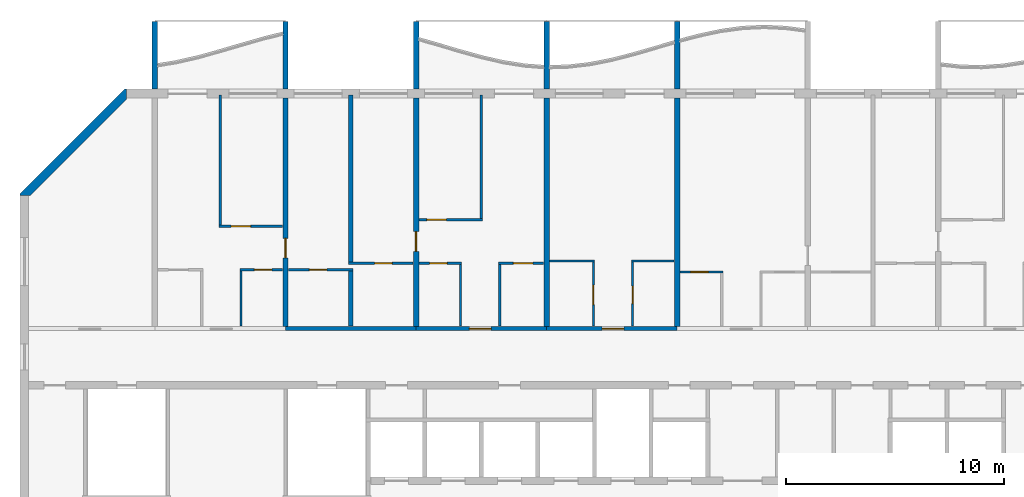
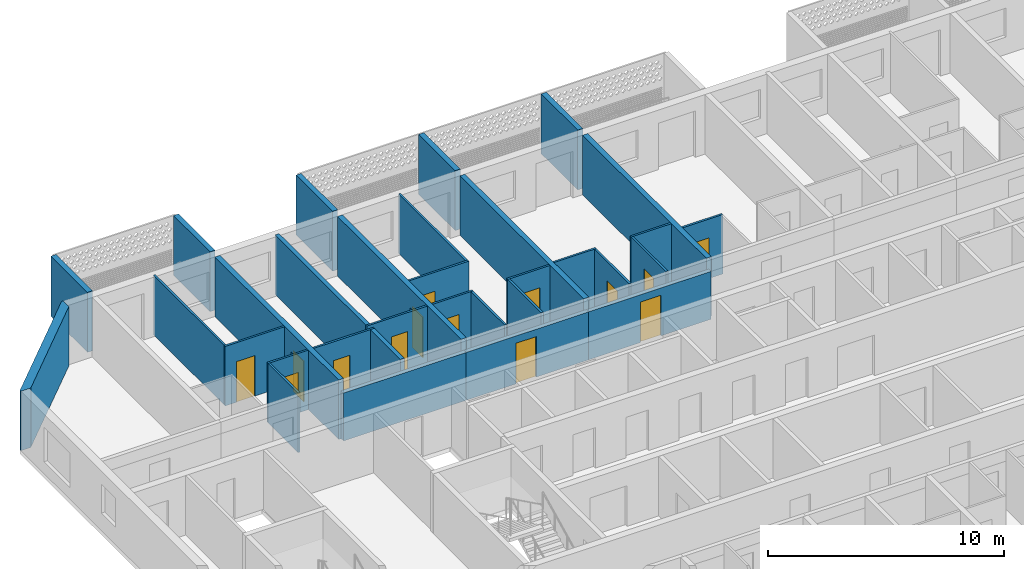
# One storey, part 8 of 29: 32 walls, 14 doors, 14 openings.
"""IFC4 building model written with IfcOpenShell, lengths in metres."""

from ifc_helpers import new_model, si_unit, direction, frame, frame_2d, origin, place, context, subcontext, project, spatial, polyline, rectangle, outline, extrude, source, transform, mapped, material, layer, layer_set, type_object, element, fill, save


model = new_model("IFC4")

# Units and contexts
model_context = context("Model", 3, precision=1e-05, world=origin(), true_north=direction((0.0, 1.0)))
body_context = subcontext(model_context, "Body", "Model", "MODEL_VIEW")
ifc_project = project(units=[si_unit("LENGTHUNIT", "METRE"), si_unit("AREAUNIT", "SQUARE_METRE"), si_unit("VOLUMEUNIT", "CUBIC_METRE"), si_unit("PLANEANGLEUNIT", "RADIAN"), si_unit("MASSUNIT", "GRAM", prefix="KILO")], contexts=[model_context])

# Site, building, storey
site_placement = place(None, origin())
site = spatial("IfcSite", under=ifc_project, at=site_placement, CompositionType="ELEMENT")
building_placement = place(site_placement, origin())
building = spatial("IfcBuilding", under=site, at=building_placement, Name="Poui Terraces", CompositionType="ELEMENT")
storey_placement = place(building_placement, frame((0.0, 0.0, 231.300048828125)))
storey = spatial("IfcBuildingStorey", under=building, at=storey_placement, Name="L64", CompositionType="ELEMENT", Elevation=231.300048828125)

# Wall
ifc_material_1 = material(Name="Concrete 50 MPa", Category="concrete")
ifc_layer_1 = layer(ifc_material_1, 0.199951171875)
ifc_layer_set_1 = layer_set([ifc_layer_1], Name="Concrete 50 MPa")
wall_type_1 = type_object("IfcWallType", Name="CORRIDOR WALL 200 50MPa", PredefinedType="SHEAR", material=ifc_layer_set_1)
wall_1_placement = place(storey_placement, frame((30.0, 30.39990234375, 0.0), z_axis=(0.0, 0.0, 1.0), x_axis=(1.0, 0.0, 0.0)))
element("IfcWall", 1, at=wall_1_placement, inside=storey, type_object=wall_type_1, Name="CORRIDOR WALL LINE E BAY 3", PredefinedType="SHEAR", context=body_context, shape_type="SweptSolid", body=[
    extrude(rectangle(XDim=6.0, YDim=0.199951171875, at=frame_2d((3.0, 0.0))), origin(), (0.0, 0.0, 1.0), 2.47998046875),
])

# Wall, opening, door
wall_2_placement = place(storey_placement, frame((36.0, 30.39990234375, 0.0), z_axis=(0.0, 0.0, 1.0), x_axis=(1.0, 0.0, 0.0)))
wall_2 = element("IfcWall", 2, at=wall_2_placement, inside=storey, type_object=wall_type_1, Name="CORRIDOR WALL LINE E BAY 4", PredefinedType="SHEAR", context=body_context, shape_type="SweptSolid", body=[
    extrude(rectangle(XDim=6.0, YDim=0.199951171875, at=frame_2d((3.0, 0.0))), origin(), (0.0, 0.0, 1.0), 2.47998046875),
])
opening_1_placement = place(wall_2_placement, frame((2.449951171875, 0.0, 0.0)))
opening_1 = element("IfcOpeningElement", 3, at=opening_1_placement, cuts=wall_2, Name="Opening FD30S", PredefinedType="OPENING", context=body_context, shape_type="SweptSolid", body=[
    extrude(rectangle(XDim=1.0, YDim=2.10009765625, at=frame_2d((0.5, 1.050048828125))), frame((0.0, 0.10986328125, 0.0), z_axis=(0.0, -1.0, 0.0), x_axis=(1.0, 0.0, 0.0)), (0.0, 0.0, 1.0), 0.219970703125),
])
ifc_material_2 = material(Name="Steel fire door", Category="steel")
door_type_1 = type_object("IfcDoorType", Name="FLAT ENTRANCE DOOR 1000 X 2100", OperationType="NOTDEFINED", PredefinedType="DOOR", material=ifc_material_2)
door_1_placement = place(opening_1_placement, origin())
door_1 = element("IfcDoor", 4, at=door_1_placement, inside=storey, type_object=door_type_1, Name="FLAT ENTRANCE DOOR 039", OperationType="SINGLE_SWING_LEFT", OverallHeight=2.10009765625, OverallWidth=1.0, PredefinedType="DOOR", context=body_context, shape_type="SweptSolid", body=[
    extrude(rectangle(XDim=1.0, YDim=2.10009765625, at=frame_2d((0.5, 1.050048828125))), frame((0.0, 0.02490234375, 0.0), z_axis=(0.0, -1.0, 0.0), x_axis=(1.0, 0.0, 0.0)), (0.0, 0.0, 1.0), 0.050048828125),
])
fill(opening_1, door_1)

wall_3_placement = place(storey_placement, frame((42.0, 30.39990234375, 0.0), z_axis=(0.0, 0.0, 1.0), x_axis=(1.0, 0.0, 0.0)))
wall_3 = element("IfcWall", 5, at=wall_3_placement, inside=storey, type_object=wall_type_1, Name="CORRIDOR WALL LINE E BAY 5", PredefinedType="SHEAR", context=body_context, shape_type="SweptSolid", body=[
    extrude(rectangle(XDim=6.0, YDim=0.199951171875, at=frame_2d((3.0, 0.0))), origin(), (0.0, 0.0, 1.0), 2.47998046875),
])
opening_2_placement = place(wall_3_placement, frame((2.550048828125, 0.0, 0.0)))
opening_2 = element("IfcOpeningElement", 6, at=opening_2_placement, cuts=wall_3, Name="Opening FD30S", PredefinedType="OPENING", context=body_context, shape_type="SweptSolid", body=[
    extrude(rectangle(XDim=1.0, YDim=2.10009765625, at=frame_2d((0.5, 1.050048828125))), frame((0.0, 0.10986328125, 0.0), z_axis=(0.0, -1.0, 0.0), x_axis=(1.0, 0.0, 0.0)), (0.0, 0.0, 1.0), 0.219970703125),
])
door_2_placement = place(opening_2_placement, origin())
door_2 = element("IfcDoor", 7, at=door_2_placement, inside=storey, type_object=door_type_1, Name="FLAT ENTRANCE DOOR 042", OperationType="SINGLE_SWING_RIGHT", OverallHeight=2.10009765625, OverallWidth=1.0, PredefinedType="DOOR", context=body_context, shape_type="SweptSolid", body=[
    extrude(rectangle(XDim=1.0, YDim=2.10009765625, at=frame_2d((0.5, 1.050048828125))), frame((0.0, 0.02490234375, 0.0), z_axis=(0.0, -1.0, 0.0), x_axis=(1.0, 0.0, 0.0)), (0.0, 0.0, 1.0), 0.050048828125),
])
fill(opening_2, door_2)

ifc_layer_2 = layer(ifc_material_1, 0.25)
ifc_layer_set_2 = layer_set([ifc_layer_2], Name="Concrete 50 MPa")
wall_type_2 = type_object("IfcWallType", Name="CROSS WALL 250 50MPa", PredefinedType="SHEAR", material=ifc_layer_set_2)
wall_4_placement = place(storey_placement, frame((30.0, 30.5, 0.0), z_axis=(0.0, 0.0, 1.0), x_axis=(0.0, 1.0, 0.0)))
wall_4 = element("IfcWall", 8, at=wall_4_placement, inside=storey, type_object=wall_type_2, Name="CROSS WALL LINE 6 NORTH", PredefinedType="SHEAR", context=body_context, shape_type="SweptSolid", body=[
    extrude(rectangle(XDim=10.5, YDim=0.25, at=frame_2d((5.25, 0.0))), origin(), (0.0, 0.0, 1.0), 3.079833984375),
])
opening_3_placement = place(wall_4_placement, frame((3.14990234375, 0.0, 0.0)))
opening_3 = element("IfcOpeningElement", 9, at=opening_3_placement, cuts=wall_4, Name="Opening D90", PredefinedType="OPENING", context=body_context, shape_type="SweptSolid", body=[
    extrude(rectangle(XDim=0.89990234375, YDim=2.10009765625, at=frame_2d((0.449951171875, 1.050048828125))), frame((0.0, 0.135009765625, 0.0), z_axis=(0.0, -1.0, 0.0), x_axis=(1.0, 0.0, 0.0)), (0.0, 0.0, 1.0), 0.27001953125),
])
ifc_material_3 = material(Name="Solid core timber door", Category="wood")
door_type_2 = type_object("IfcDoorType", Name="INTERNAL DOOR 900 X 2100", OperationType="NOTDEFINED", PredefinedType="DOOR", material=ifc_material_3)
door_3_placement = place(opening_3_placement, frame((0.89990234375, 0.0, 0.0), z_axis=(0.0, 0.0, 1.0), x_axis=(-1.0, 0.0, 0.0)))
door_3 = element("IfcDoor", 10, at=door_3_placement, inside=storey, type_object=door_type_2, Name="INTERNAL DOOR 034", OperationType="SINGLE_SWING_RIGHT", OverallHeight=2.10009765625, OverallWidth=0.89990234375, PredefinedType="DOOR", context=body_context, shape_type="SweptSolid", body=[
    extrude(rectangle(XDim=0.89990234375, YDim=2.10009765625, at=frame_2d((0.449951171875, 1.050048828125))), frame((0.0, 0.02490234375, 0.0), z_axis=(0.0, -1.0, 0.0), x_axis=(1.0, 0.0, 0.0)), (0.0, 0.0, 1.0), 0.050048828125),
])
fill(opening_3, door_3)

wall_5_placement = place(storey_placement, frame((36.0, 30.5, 0.0), z_axis=(0.0, 0.0, 1.0), x_axis=(0.0, 1.0, 0.0)))
wall_5 = element("IfcWall", 11, at=wall_5_placement, inside=storey, type_object=wall_type_2, Name="CROSS WALL LINE 7 NORTH", PredefinedType="SHEAR", context=body_context, shape_type="SweptSolid", body=[
    extrude(rectangle(XDim=10.5, YDim=0.25, at=frame_2d((5.25, 0.0))), origin(), (0.0, 0.0, 1.0), 3.079833984375),
])
opening_4_placement = place(wall_5_placement, frame((3.449951171875, 0.0, 0.0)))
opening_4 = element("IfcOpeningElement", 12, at=opening_4_placement, cuts=wall_5, Name="Opening D90", PredefinedType="OPENING", context=body_context, shape_type="SweptSolid", body=[
    extrude(rectangle(XDim=0.89990234375, YDim=2.10009765625, at=frame_2d((0.449951171875, 1.050048828125))), frame((0.0, 0.135009765625, 0.0), z_axis=(0.0, -1.0, 0.0), x_axis=(1.0, 0.0, 0.0)), (0.0, 0.0, 1.0), 0.27001953125),
])
door_4_placement = place(opening_4_placement, origin())
door_4 = element("IfcDoor", 13, at=door_4_placement, inside=storey, type_object=door_type_2, Name="INTERNAL DOOR 036", OperationType="SINGLE_SWING_LEFT", OverallHeight=2.10009765625, OverallWidth=0.89990234375, PredefinedType="DOOR", context=body_context, shape_type="SweptSolid", body=[
    extrude(rectangle(XDim=0.89990234375, YDim=2.10009765625, at=frame_2d((0.449951171875, 1.050048828125))), frame((0.0, 0.02490234375, 0.0), z_axis=(0.0, -1.0, 0.0), x_axis=(1.0, 0.0, 0.0)), (0.0, 0.0, 1.0), 0.050048828125),
])
fill(opening_4, door_4)

# Walls
for number, where, z_axis, x_axis, name in (
    (14, (42.0, 30.5, 0.0), (0.0, 0.0, 1.0), (0.0, 1.0, 0.0), "CROSS WALL LINE 8 NORTH"),
    (15, (48.0, 30.5, 0.0), (0.0, 0.0, 1.0), (0.0, 1.0, 0.0), "CROSS WALL LINE 9 NORTH"),
):
    element("IfcWall", number, at=place(storey_placement, frame(where, z_axis=z_axis, x_axis=x_axis)), inside=storey, type_object=wall_type_2, Name=name, PredefinedType="SHEAR", context=body_context, shape_type="SweptSolid", body=[
        extrude(rectangle(XDim=10.5, YDim=0.25, at=frame_2d((5.25, 0.0))), origin(), (0.0, 0.0, 1.0), 3.079833984375),
    ])

# Wall, opening, door
ifc_material_4 = material(Name="Plasterboard partition")
ifc_layer_3 = layer(ifc_material_4, 0.10009765625)
ifc_layer_set_3 = layer_set([ifc_layer_3], Name="Plasterboard partition")
wall_type_3 = type_object("IfcWallType", Name="FLAT PARTITION 100", PredefinedType="PARTITIONING", material=ifc_layer_set_3)
wall_6_placement = place(storey_placement, frame((48.135009765625, 33.0, 0.0), z_axis=(0.0, 0.0, 1.0), x_axis=(1.0, 0.0, 0.0)))
wall_6 = element("IfcWall", 16, at=wall_6_placement, inside=storey, type_object=wall_type_3, Name="FLAT PARTITION 100", PredefinedType="PARTITIONING", context=body_context, shape_type="SweptSolid", body=[
    extrude(rectangle(XDim=1.965087890625, YDim=0.10009765625, at=frame_2d((0.982421875, 0.0))), origin(), (0.0, 0.0, 1.0), 3.079833984375),
])
opening_5_placement = place(wall_6_placement, frame((0.489990234375, 0.0, 0.0)))
opening_5 = element("IfcOpeningElement", 17, at=opening_5_placement, cuts=wall_6, Name="Opening D80", PredefinedType="OPENING", context=body_context, shape_type="SweptSolid", body=[
    extrude(rectangle(XDim=0.800048828125, YDim=2.10009765625, at=frame_2d((0.39990234375, 1.050048828125))), frame((0.0, 0.06005859375, 0.0), z_axis=(0.0, -1.0, 0.0), x_axis=(1.0, 0.0, 0.0)), (0.0, 0.0, 1.0), 0.1201171875),
])
door_type_3 = type_object("IfcDoorType", Name="BATHROOM, LAUNDRY AND STORE DOOR 800 X 2100", OperationType="NOTDEFINED", PredefinedType="DOOR", material=ifc_material_3)
door_5_placement = place(opening_5_placement, frame((0.800048828125, 0.0, 0.0), z_axis=(0.0, 0.0, 1.0), x_axis=(-1.0, 0.0, 0.0)))
door_5 = element("IfcDoor", 18, at=door_5_placement, inside=storey, type_object=door_type_3, Name="BATHROOM, LAUNDRY AND STORE DOOR 045", OperationType="SINGLE_SWING_LEFT", OverallHeight=2.10009765625, OverallWidth=0.800048828125, PredefinedType="DOOR", context=body_context, shape_type="SweptSolid", body=[
    extrude(rectangle(XDim=0.800048828125, YDim=2.10009765625, at=frame_2d((0.39990234375, 1.050048828125))), frame((0.0, 0.02490234375, 0.0), z_axis=(0.0, -1.0, 0.0), x_axis=(1.0, 0.0, 0.0)), (0.0, 0.0, 1.0), 0.050048828125),
])
fill(opening_5, door_5)

wall_7_placement = place(storey_placement, frame((27.89990234375, 33.10009765625, 0.0), z_axis=(0.0, 0.0, 1.0), x_axis=(1.0, 0.0, 0.0)))
wall_7 = element("IfcWall", 19, at=wall_7_placement, inside=storey, type_object=wall_type_3, Name="FLAT PARTITION 100", PredefinedType="PARTITIONING", context=body_context, shape_type="SweptSolid", body=[
    extrude(rectangle(XDim=1.965087890625, YDim=0.10009765625, at=frame_2d((0.982421875, 0.0))), origin(), (0.0, 0.0, 1.0), 3.079833984375),
])
opening_6_placement = place(wall_7_placement, frame((0.675048828125, 0.0, 0.0)))
opening_6 = element("IfcOpeningElement", 20, at=opening_6_placement, cuts=wall_7, Name="Opening D80", PredefinedType="OPENING", context=body_context, shape_type="SweptSolid", body=[
    extrude(rectangle(XDim=0.800048828125, YDim=2.10009765625, at=frame_2d((0.39990234375, 1.050048828125))), frame((0.0, 0.06005859375, 0.0), z_axis=(0.0, -1.0, 0.0), x_axis=(1.0, 0.0, 0.0)), (0.0, 0.0, 1.0), 0.1201171875),
])
door_6_placement = place(opening_6_placement, frame((0.800048828125, 0.0, 0.0), z_axis=(0.0, 0.0, 1.0), x_axis=(-1.0, 0.0, 0.0)))
door_6 = element("IfcDoor", 21, at=door_6_placement, inside=storey, type_object=door_type_3, Name="BATHROOM, LAUNDRY AND STORE DOOR 033", OperationType="SINGLE_SWING_RIGHT", OverallHeight=2.10009765625, OverallWidth=0.800048828125, PredefinedType="DOOR", context=body_context, shape_type="SweptSolid", body=[
    extrude(rectangle(XDim=0.800048828125, YDim=2.10009765625, at=frame_2d((0.39990234375, 1.050048828125))), frame((0.0, 0.02490234375, 0.0), z_axis=(0.0, -1.0, 0.0), x_axis=(1.0, 0.0, 0.0)), (0.0, 0.0, 1.0), 0.050048828125),
])
fill(opening_6, door_6)

wall_8_placement = place(storey_placement, frame((30.135009765625, 33.10009765625, 0.0), z_axis=(0.0, 0.0, 1.0), x_axis=(1.0, 0.0, 0.0)))
wall_8 = element("IfcWall", 22, at=wall_8_placement, inside=storey, type_object=wall_type_3, Name="FLAT PARTITION 100", PredefinedType="PARTITIONING", context=body_context, shape_type="SweptSolid", body=[
    extrude(rectangle(XDim=2.965087890625, YDim=0.10009765625, at=frame_2d((1.482421875, 0.0))), origin(), (0.0, 0.0, 1.0), 3.079833984375),
])
opening_7_placement = place(wall_8_placement, frame((0.965087890625, 0.0, 0.0)))
opening_7 = element("IfcOpeningElement", 23, at=opening_7_placement, cuts=wall_8, Name="Opening D80", PredefinedType="OPENING", context=body_context, shape_type="SweptSolid", body=[
    extrude(rectangle(XDim=0.800048828125, YDim=2.10009765625, at=frame_2d((0.39990234375, 1.050048828125))), frame((0.0, 0.06005859375, 0.0), z_axis=(0.0, -1.0, 0.0), x_axis=(1.0, 0.0, 0.0)), (0.0, 0.0, 1.0), 0.1201171875),
])
door_7_placement = place(opening_7_placement, frame((0.800048828125, 0.0, 0.0), z_axis=(0.0, 0.0, 1.0), x_axis=(-1.0, 0.0, 0.0)))
door_7 = element("IfcDoor", 24, at=door_7_placement, inside=storey, type_object=door_type_3, Name="BATHROOM, LAUNDRY AND STORE DOOR 029", OperationType="SINGLE_SWING_LEFT", OverallHeight=2.10009765625, OverallWidth=0.800048828125, PredefinedType="DOOR", context=body_context, shape_type="SweptSolid", body=[
    extrude(rectangle(XDim=0.800048828125, YDim=2.10009765625, at=frame_2d((0.39990234375, 1.050048828125))), frame((0.0, 0.02490234375, 0.0), z_axis=(0.0, -1.0, 0.0), x_axis=(1.0, 0.0, 0.0)), (0.0, 0.0, 1.0), 0.050048828125),
])
fill(opening_7, door_7)

wall_9_placement = place(storey_placement, frame((32.89990234375, 33.39990234375, 0.0), z_axis=(0.0, 0.0, 1.0), x_axis=(1.0, 0.0, 0.0)))
wall_9 = element("IfcWall", 25, at=wall_9_placement, inside=storey, type_object=wall_type_3, Name="FLAT PARTITION 100", PredefinedType="PARTITIONING", context=body_context, shape_type="SweptSolid", body=[
    extrude(rectangle(XDim=2.965087890625, YDim=0.10009765625, at=frame_2d((1.482421875, 0.0))), origin(), (0.0, 0.0, 1.0), 3.079833984375),
])
opening_8_placement = place(wall_9_placement, frame((1.199951171875, 0.0, 0.0)))
opening_8 = element("IfcOpeningElement", 26, at=opening_8_placement, cuts=wall_9, Name="Opening D80", PredefinedType="OPENING", context=body_context, shape_type="SweptSolid", body=[
    extrude(rectangle(XDim=0.800048828125, YDim=2.10009765625, at=frame_2d((0.39990234375, 1.050048828125))), frame((0.0, 0.06005859375, 0.0), z_axis=(0.0, -1.0, 0.0), x_axis=(1.0, 0.0, 0.0)), (0.0, 0.0, 1.0), 0.1201171875),
])
door_8_placement = place(opening_8_placement, frame((0.800048828125, 0.0, 0.0), z_axis=(0.0, 0.0, 1.0), x_axis=(-1.0, 0.0, 0.0)))
door_8 = element("IfcDoor", 27, at=door_8_placement, inside=storey, type_object=door_type_3, Name="BATHROOM, LAUNDRY AND STORE DOOR 035", OperationType="SINGLE_SWING_RIGHT", OverallHeight=2.10009765625, OverallWidth=0.800048828125, PredefinedType="DOOR", context=body_context, shape_type="SweptSolid", body=[
    extrude(rectangle(XDim=0.800048828125, YDim=2.10009765625, at=frame_2d((0.39990234375, 1.050048828125))), frame((0.0, 0.02490234375, 0.0), z_axis=(0.0, -1.0, 0.0), x_axis=(1.0, 0.0, 0.0)), (0.0, 0.0, 1.0), 0.050048828125),
])
fill(opening_8, door_8)

wall_10_placement = place(storey_placement, frame((36.135009765625, 33.39990234375, 0.0), z_axis=(0.0, 0.0, 1.0), x_axis=(1.0, 0.0, 0.0)))
wall_10 = element("IfcWall", 28, at=wall_10_placement, inside=storey, type_object=wall_type_3, Name="FLAT PARTITION 100", PredefinedType="PARTITIONING", context=body_context, shape_type="SweptSolid", body=[
    extrude(rectangle(XDim=1.965087890625, YDim=0.10009765625, at=frame_2d((0.982421875, 0.0))), origin(), (0.0, 0.0, 1.0), 3.079833984375),
])
opening_9_placement = place(wall_10_placement, frame((0.489990234375, 0.0, 0.0)))
opening_9 = element("IfcOpeningElement", 29, at=opening_9_placement, cuts=wall_10, Name="Opening D80", PredefinedType="OPENING", context=body_context, shape_type="SweptSolid", body=[
    extrude(rectangle(XDim=0.800048828125, YDim=2.10009765625, at=frame_2d((0.39990234375, 1.050048828125))), frame((0.0, 0.06005859375, 0.0), z_axis=(0.0, -1.0, 0.0), x_axis=(1.0, 0.0, 0.0)), (0.0, 0.0, 1.0), 0.1201171875),
])
door_9_placement = place(opening_9_placement, frame((0.800048828125, 0.0, 0.0), z_axis=(0.0, 0.0, 1.0), x_axis=(-1.0, 0.0, 0.0)))
door_9 = element("IfcDoor", 30, at=door_9_placement, inside=storey, type_object=door_type_3, Name="BATHROOM, LAUNDRY AND STORE DOOR 038", OperationType="SINGLE_SWING_RIGHT", OverallHeight=2.10009765625, OverallWidth=0.800048828125, PredefinedType="DOOR", context=body_context, shape_type="SweptSolid", body=[
    extrude(rectangle(XDim=0.800048828125, YDim=2.10009765625, at=frame_2d((0.39990234375, 1.050048828125))), frame((0.0, 0.02490234375, 0.0), z_axis=(0.0, -1.0, 0.0), x_axis=(1.0, 0.0, 0.0)), (0.0, 0.0, 1.0), 0.050048828125),
])
fill(opening_9, door_9)

wall_11_placement = place(storey_placement, frame((39.800048828125, 33.39990234375, 0.0), z_axis=(0.0, 0.0, 1.0), x_axis=(1.0, 0.0, 0.0)))
wall_11 = element("IfcWall", 31, at=wall_11_placement, inside=storey, type_object=wall_type_3, Name="FLAT PARTITION 100", PredefinedType="PARTITIONING", context=body_context, shape_type="SweptSolid", body=[
    extrude(rectangle(XDim=2.06494140625, YDim=0.10009765625, at=frame_2d((1.032470703125, 0.0))), origin(), (0.0, 0.0, 1.0), 3.079833984375),
])
opening_10_placement = place(wall_11_placement, frame((0.675048828125, 0.0, 0.0)))
opening_10 = element("IfcOpeningElement", 32, at=opening_10_placement, cuts=wall_11, Name="Opening D90", PredefinedType="OPENING", context=body_context, shape_type="SweptSolid", body=[
    extrude(rectangle(XDim=0.89990234375, YDim=2.10009765625, at=frame_2d((0.449951171875, 1.050048828125))), frame((0.0, 0.06005859375, 0.0), z_axis=(0.0, -1.0, 0.0), x_axis=(1.0, 0.0, 0.0)), (0.0, 0.0, 1.0), 0.1201171875),
])
door_10_placement = place(opening_10_placement, frame((0.89990234375, 0.0, 0.0), z_axis=(0.0, 0.0, 1.0), x_axis=(-1.0, 0.0, 0.0)))
door_10 = element("IfcDoor", 33, at=door_10_placement, inside=storey, type_object=door_type_2, Name="INTERNAL DOOR 040", OperationType="SINGLE_SWING_LEFT", OverallHeight=2.10009765625, OverallWidth=0.89990234375, PredefinedType="DOOR", context=body_context, shape_type="SweptSolid", body=[
    extrude(rectangle(XDim=0.89990234375, YDim=2.10009765625, at=frame_2d((0.449951171875, 1.050048828125))), frame((0.0, 0.02490234375, 0.0), z_axis=(0.0, -1.0, 0.0), x_axis=(1.0, 0.0, 0.0)), (0.0, 0.0, 1.0), 0.050048828125),
])
fill(opening_10, door_10)

# Walls
wall_12_placement = place(storey_placement, frame((42.135009765625, 33.5, 0.0), z_axis=(0.0, 0.0, 1.0), x_axis=(1.0, 0.0, 0.0)))
element("IfcWall", 34, at=wall_12_placement, inside=storey, type_object=wall_type_3, Name="FLAT PARTITION 100", PredefinedType="PARTITIONING", context=body_context, shape_type="SweptSolid", body=[
    extrude(rectangle(XDim=2.06494140625, YDim=0.10009765625, at=frame_2d((1.032470703125, 0.0))), origin(), (0.0, 0.0, 1.0), 3.079833984375),
])
wall_13_placement = place(storey_placement, frame((45.89990234375, 33.5, 0.0), z_axis=(0.0, 0.0, 1.0), x_axis=(1.0, 0.0, 0.0)))
element("IfcWall", 35, at=wall_13_placement, inside=storey, type_object=wall_type_3, Name="FLAT PARTITION 100", PredefinedType="PARTITIONING", context=body_context, shape_type="SweptSolid", body=[
    extrude(rectangle(XDim=1.965087890625, YDim=0.10009765625, at=frame_2d((0.982421875, 0.0))), origin(), (0.0, 0.0, 1.0), 3.079833984375),
])

# Wall, opening, door
wall_14_placement = place(storey_placement, frame((26.949951171875, 35.10009765625, 0.0), z_axis=(0.0, 0.0, 1.0), x_axis=(1.0, 0.0, 0.0)))
wall_14 = element("IfcWall", 36, at=wall_14_placement, inside=storey, type_object=wall_type_3, Name="FLAT PARTITION 100", PredefinedType="PARTITIONING", context=body_context, shape_type="SweptSolid", body=[
    extrude(rectangle(XDim=2.9150390625, YDim=0.10009765625, at=frame_2d((1.45751953125, 0.0))), origin(), (0.0, 0.0, 1.0), 3.079833984375),
])
opening_11_placement = place(wall_14_placement, frame((0.550048828125, 0.0, 0.0)))
opening_11 = element("IfcOpeningElement", 37, at=opening_11_placement, cuts=wall_14, Name="Opening D90", PredefinedType="OPENING", context=body_context, shape_type="SweptSolid", body=[
    extrude(rectangle(XDim=0.89990234375, YDim=2.10009765625, at=frame_2d((0.449951171875, 1.050048828125))), frame((0.0, 0.06005859375, 0.0), z_axis=(0.0, -1.0, 0.0), x_axis=(1.0, 0.0, 0.0)), (0.0, 0.0, 1.0), 0.1201171875),
])
door_11_placement = place(opening_11_placement, frame((0.89990234375, 0.0, 0.0), z_axis=(0.0, 0.0, 1.0), x_axis=(-1.0, 0.0, 0.0)))
door_11 = element("IfcDoor", 38, at=door_11_placement, inside=storey, type_object=door_type_2, Name="INTERNAL DOOR 032", OperationType="SINGLE_SWING_LEFT", OverallHeight=2.10009765625, OverallWidth=0.89990234375, PredefinedType="DOOR", context=body_context, shape_type="SweptSolid", body=[
    extrude(rectangle(XDim=0.89990234375, YDim=2.10009765625, at=frame_2d((0.449951171875, 1.050048828125))), frame((0.0, 0.02490234375, 0.0), z_axis=(0.0, -1.0, 0.0), x_axis=(1.0, 0.0, 0.0)), (0.0, 0.0, 1.0), 0.050048828125),
])
fill(opening_11, door_11)

wall_15_placement = place(storey_placement, frame((36.135009765625, 35.39990234375, 0.0), z_axis=(0.0, 0.0, 1.0), x_axis=(1.0, 0.0, 0.0)))
wall_15 = element("IfcWall", 39, at=wall_15_placement, inside=storey, type_object=wall_type_3, Name="FLAT PARTITION 100", PredefinedType="PARTITIONING", context=body_context, shape_type="SweptSolid", body=[
    extrude(rectangle(XDim=2.9150390625, YDim=0.10009765625, at=frame_2d((1.45751953125, 0.0))), origin(), (0.0, 0.0, 1.0), 3.079833984375),
])
opening_12_placement = place(wall_15_placement, frame((0.364990234375, 0.0, 0.0)))
opening_12 = element("IfcOpeningElement", 40, at=opening_12_placement, cuts=wall_15, Name="Opening D90", PredefinedType="OPENING", context=body_context, shape_type="SweptSolid", body=[
    extrude(rectangle(XDim=0.89990234375, YDim=2.10009765625, at=frame_2d((0.449951171875, 1.050048828125))), frame((0.0, 0.06005859375, 0.0), z_axis=(0.0, -1.0, 0.0), x_axis=(1.0, 0.0, 0.0)), (0.0, 0.0, 1.0), 0.1201171875),
])
door_12_placement = place(opening_12_placement, frame((0.89990234375, 0.0, 0.0), z_axis=(0.0, 0.0, 1.0), x_axis=(-1.0, 0.0, 0.0)))
door_12 = element("IfcDoor", 41, at=door_12_placement, inside=storey, type_object=door_type_2, Name="INTERNAL DOOR 037", OperationType="SINGLE_SWING_LEFT", OverallHeight=2.10009765625, OverallWidth=0.89990234375, PredefinedType="DOOR", context=body_context, shape_type="SweptSolid", body=[
    extrude(rectangle(XDim=0.89990234375, YDim=2.10009765625, at=frame_2d((0.449951171875, 1.050048828125))), frame((0.0, 0.02490234375, 0.0), z_axis=(0.0, -1.0, 0.0), x_axis=(1.0, 0.0, 0.0)), (0.0, 0.0, 1.0), 0.050048828125),
])
fill(opening_12, door_12)

# Walls
wall_16_placement = place(storey_placement, frame((27.0, 35.14990234375, 0.0), z_axis=(0.0, 0.0, 1.0), x_axis=(0.0, 1.0, 0.0)))
element("IfcWall", 42, at=wall_16_placement, inside=storey, type_object=wall_type_3, Name="FLAT PARTITION 100", PredefinedType="PARTITIONING", context=body_context, shape_type="SweptSolid", body=[
    extrude(rectangle(XDim=5.989990234375, YDim=0.10009765625, at=frame_2d((2.9951171875, 0.0))), origin(), (0.0, 0.0, 1.0), 3.079833984375),
])
wall_17_placement = place(storey_placement, frame((27.949951171875, 30.510009765625, 0.0), z_axis=(0.0, 0.0, 1.0), x_axis=(0.0, 1.0, 0.0)))
element("IfcWall", 43, at=wall_17_placement, inside=storey, type_object=wall_type_3, Name="FLAT PARTITION 100", PredefinedType="PARTITIONING", context=body_context, shape_type="SweptSolid", body=[
    extrude(rectangle(XDim=2.5400390625, YDim=0.10009765625, at=frame_2d((1.27001953125, 0.0))), origin(), (0.0, 0.0, 1.0), 3.079833984375),
])
wall_18_placement = place(storey_placement, frame((38.050048828125, 30.510009765625, 0.0), z_axis=(0.0, 0.0, 1.0), x_axis=(0.0, 1.0, 0.0)))
element("IfcWall", 44, at=wall_18_placement, inside=storey, type_object=wall_type_3, Name="FLAT PARTITION 100", PredefinedType="PARTITIONING", context=body_context, shape_type="SweptSolid", body=[
    extrude(rectangle(XDim=2.840087890625, YDim=0.10009765625, at=frame_2d((1.419921875, 0.0))), origin(), (0.0, 0.0, 1.0), 3.079833984375),
])
wall_19_placement = place(storey_placement, frame((39.0, 35.449951171875, 0.0), z_axis=(0.0, 0.0, 1.0), x_axis=(0.0, 1.0, 0.0)))
element("IfcWall", 45, at=wall_19_placement, inside=storey, type_object=wall_type_3, Name="FLAT PARTITION 100", PredefinedType="PARTITIONING", context=body_context, shape_type="SweptSolid", body=[
    extrude(rectangle(XDim=5.68994140625, YDim=0.10009765625, at=frame_2d((2.844970703125, 0.0))), origin(), (0.0, 0.0, 1.0), 3.079833984375),
])
wall_20_placement = place(storey_placement, frame((39.85009765625, 30.510009765625, 0.0), z_axis=(0.0, 0.0, 1.0), x_axis=(0.0, 1.0, 0.0)))
element("IfcWall", 46, at=wall_20_placement, inside=storey, type_object=wall_type_3, Name="FLAT PARTITION 100", PredefinedType="PARTITIONING", context=body_context, shape_type="SweptSolid", body=[
    extrude(rectangle(XDim=2.840087890625, YDim=0.10009765625, at=frame_2d((1.419921875, 0.0))), origin(), (0.0, 0.0, 1.0), 3.079833984375),
])

# Wall, opening, door
wall_21_placement = place(storey_placement, frame((44.14990234375, 30.510009765625, 0.0), z_axis=(0.0, 0.0, 1.0), x_axis=(0.0, 1.0, 0.0)))
wall_21 = element("IfcWall", 47, at=wall_21_placement, inside=storey, type_object=wall_type_3, Name="FLAT PARTITION 100", PredefinedType="PARTITIONING", context=body_context, shape_type="SweptSolid", body=[
    extrude(rectangle(XDim=2.93994140625, YDim=0.10009765625, at=frame_2d((1.469970703125, 0.0))), origin(), (0.0, 0.0, 1.0), 3.079833984375),
])
opening_13_placement = place(wall_21_placement, frame((0.989990234375, 0.0, 0.0)))
opening_13 = element("IfcOpeningElement", 48, at=opening_13_placement, cuts=wall_21, Name="Opening D90", PredefinedType="OPENING", context=body_context, shape_type="SweptSolid", body=[
    extrude(rectangle(XDim=0.89990234375, YDim=2.10009765625, at=frame_2d((0.449951171875, 1.050048828125))), frame((0.0, 0.06005859375, 0.0), z_axis=(0.0, -1.0, 0.0), x_axis=(1.0, 0.0, 0.0)), (0.0, 0.0, 1.0), 0.1201171875),
])
door_13_placement = place(opening_13_placement, origin())
door_13 = element("IfcDoor", 49, at=door_13_placement, inside=storey, type_object=door_type_2, Name="INTERNAL DOOR 041", OperationType="SINGLE_SWING_LEFT", OverallHeight=2.10009765625, OverallWidth=0.89990234375, PredefinedType="DOOR", context=body_context, shape_type="SweptSolid", body=[
    extrude(rectangle(XDim=0.89990234375, YDim=2.10009765625, at=frame_2d((0.449951171875, 1.050048828125))), frame((0.0, 0.02490234375, 0.0), z_axis=(0.0, -1.0, 0.0), x_axis=(1.0, 0.0, 0.0)), (0.0, 0.0, 1.0), 0.050048828125),
])
fill(opening_13, door_13)

wall_22_placement = place(storey_placement, frame((45.949951171875, 30.510009765625, 0.0), z_axis=(0.0, 0.0, 1.0), x_axis=(0.0, 1.0, 0.0)))
wall_22 = element("IfcWall", 50, at=wall_22_placement, inside=storey, type_object=wall_type_3, Name="FLAT PARTITION 100", PredefinedType="PARTITIONING", context=body_context, shape_type="SweptSolid", body=[
    extrude(rectangle(XDim=2.93994140625, YDim=0.10009765625, at=frame_2d((1.469970703125, 0.0))), origin(), (0.0, 0.0, 1.0), 3.079833984375),
])
opening_14_placement = place(wall_22_placement, frame((1.0400390625, 0.0, 0.0)))
opening_14 = element("IfcOpeningElement", 51, at=opening_14_placement, cuts=wall_22, Name="Opening D80", PredefinedType="OPENING", context=body_context, shape_type="SweptSolid", body=[
    extrude(rectangle(XDim=0.800048828125, YDim=2.10009765625, at=frame_2d((0.39990234375, 1.050048828125))), frame((0.0, 0.06005859375, 0.0), z_axis=(0.0, -1.0, 0.0), x_axis=(1.0, 0.0, 0.0)), (0.0, 0.0, 1.0), 0.1201171875),
])
door_14_placement = place(opening_14_placement, frame((0.800048828125, 0.0, 0.0), z_axis=(0.0, 0.0, 1.0), x_axis=(-1.0, 0.0, 0.0)))
door_14 = element("IfcDoor", 52, at=door_14_placement, inside=storey, type_object=door_type_3, Name="BATHROOM, LAUNDRY AND STORE DOOR 043", OperationType="SINGLE_SWING_LEFT", OverallHeight=2.10009765625, OverallWidth=0.800048828125, PredefinedType="DOOR", context=body_context, shape_type="SweptSolid", body=[
    extrude(rectangle(XDim=0.800048828125, YDim=2.10009765625, at=frame_2d((0.39990234375, 1.050048828125))), frame((0.0, 0.02490234375, 0.0), z_axis=(0.0, -1.0, 0.0), x_axis=(1.0, 0.0, 0.0)), (0.0, 0.0, 1.0), 0.050048828125),
])
fill(opening_14, door_14)

# Walls
ifc_material_5 = material(Name="Fire-rated masonry wall", Category="masonry")
ifc_layer_4 = layer(ifc_material_5, 0.199951171875)
ifc_layer_set_4 = layer_set([ifc_layer_4], Name="Fire-rated masonry wall")
wall_type_4 = type_object("IfcWallType", Name="FLAT PARTY WALL 200", PredefinedType="PARTITIONING", material=ifc_layer_set_4)
wall_23_placement = place(storey_placement, frame((33.0, 30.510009765625, 0.0), z_axis=(0.0, 0.0, 1.0), x_axis=(0.0, 1.0, 0.0)))
element("IfcWall", 53, at=wall_23_placement, inside=storey, type_object=wall_type_4, Name="FLAT PARTY WALL 200", PredefinedType="PARTITIONING", context=body_context, shape_type="SweptSolid", body=[
    extrude(rectangle(XDim=2.5400390625, YDim=0.199951171875, at=frame_2d((1.27001953125, 0.0))), origin(), (0.0, 0.0, 1.0), 3.079833984375),
])
wall_24_placement = place(storey_placement, frame((33.0, 33.449951171875, 0.0), z_axis=(0.0, 0.0, 1.0), x_axis=(0.0, 1.0, 0.0)))
element("IfcWall", 54, at=wall_24_placement, inside=storey, type_object=wall_type_4, Name="FLAT PARTY WALL 200", PredefinedType="PARTITIONING", context=body_context, shape_type="SweptSolid", body=[
    extrude(rectangle(XDim=7.68994140625, YDim=0.199951171875, at=frame_2d((3.844970703125, 0.0))), origin(), (0.0, 0.0, 1.0), 3.079833984375),
])
ifc_material_6 = material(Name="Precast concrete 40 MPa", Category="concrete")
ifc_layer_5 = layer(ifc_material_6, 0.39990234375)
ifc_layer_set_5 = layer_set([ifc_layer_5], Name="Precast concrete 40 MPa")
wall_type_5 = type_object("IfcWallType", Name="TERRACOTTA CLAD CHAMFER WALL 400", PredefinedType="STANDARD", material=ifc_layer_set_5)
wall_25_placement = place(storey_placement, origin())
element("IfcWall", 55, at=wall_25_placement, inside=storey, type_object=wall_type_5, Name="CHAMFER WALL CH05", PredefinedType="STANDARD", context=body_context, shape_type="SweptSolid", body=[
    extrude(outline(polyline([(22.682861328125, 41.39990234375), (22.60009765625, 41.39990234375), (17.800048828125, 36.60009765625), (17.800048828125, 36.51708984375), (18.28271484375, 36.51708984375), (22.682861328125, 40.917236328125), (22.682861328125, 41.39990234375)])), origin(), (0.0, 0.0, 1.0), 3.079833984375),
])
ifc_layer_6 = layer(ifc_material_6, 0.25)
ifc_layer_set_6 = layer_set([ifc_layer_6], Name="Precast concrete 40 MPa")
wall_type_6 = type_object("IfcWallType", Name="BALCONY FIN 250", PredefinedType="STANDARD", material=ifc_layer_set_6)
shared_shape = source(origin(), body_context, "Body", "SweptSolid", [
    extrude(outline(polyline([(0.0, 0.0), (0.25, 0.0), (0.25, 3.10009765625), (0.0, 3.10009765625), (0.0, 0.0)])), origin(), (0.0, 0.0, 1.0), 3.099853515625),
])
for number, where, name in (
    (56, (23.875, 41.39990234375, 0.0), "BALCONY FIN"),
    (57, (29.875, 41.39990234375, 0.0), "BALCONY FIN"),
    (58, (35.875, 41.39990234375, 0.0), "BALCONY FIN"),
    (59, (41.875, 41.39990234375, 0.0), "BALCONY FIN"),
    (60, (47.875, 41.39990234375, 0.0), "BALCONY FIN"),
):
    element("IfcWall", number, at=place(storey_placement, frame(where)), inside=storey, type_object=wall_type_6, Name=name, PredefinedType="STANDARD", context=body_context, shape_type="MappedRepresentation", body=[
        mapped(shared_shape, transform((0.0, 0.0, 0.0))),
    ])

save(model, "model.ifc")
